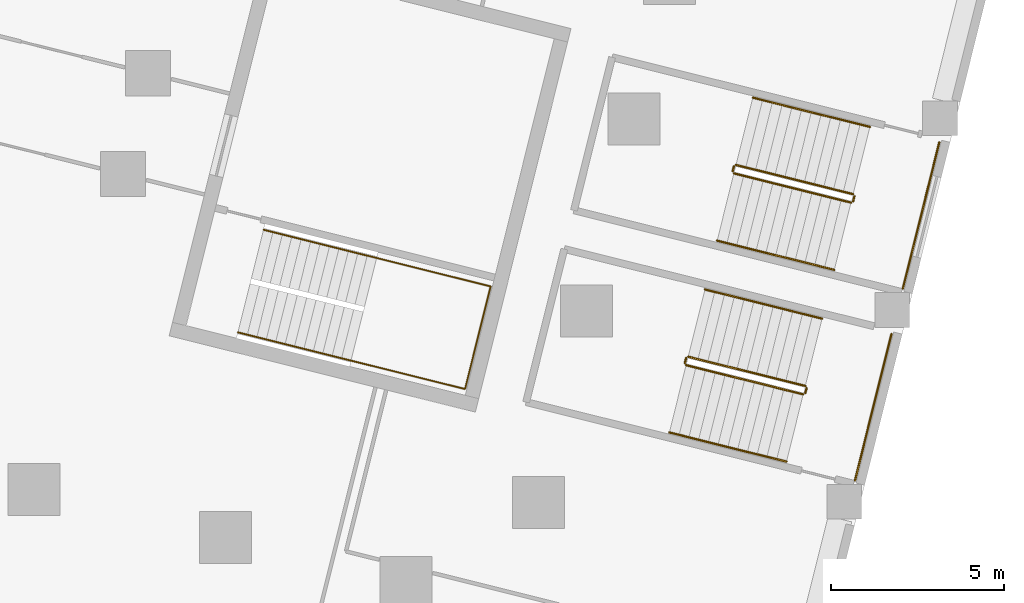
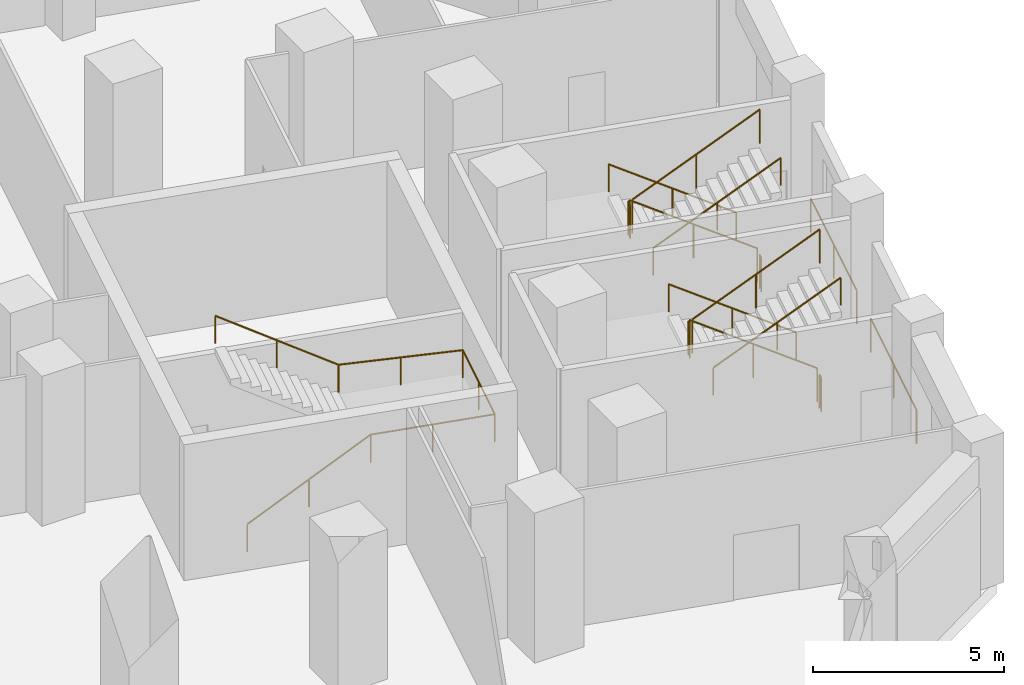
# One storey, part 13 of 15: 15 railings.
"""IFC4 building model written with IfcOpenShell, lengths in metres."""

from ifc_helpers import new_model, si_unit, direction, frame, origin, origin_2d, place, context, subcontext, project, spatial, circle, extrude, material, type_object, element, save


model = new_model("IFC4")

# Units and contexts
model_context = context("Model", 3, precision=1e-05, world=origin(), true_north=direction((0.0, 1.0)))
body_context = subcontext(model_context, "Body", "Model", "MODEL_VIEW")
ifc_project = project(units=[si_unit("LENGTHUNIT", "METRE"), si_unit("AREAUNIT", "SQUARE_METRE"), si_unit("VOLUMEUNIT", "CUBIC_METRE"), si_unit("PLANEANGLEUNIT", "RADIAN"), si_unit("MASSUNIT", "GRAM", prefix="KILO")], contexts=[model_context])

# Site, building, storey
site_placement = place(None, origin())
site = spatial("IfcSite", under=ifc_project, at=site_placement, CompositionType="ELEMENT")
building_placement = place(site_placement, origin())
building = spatial("IfcBuilding", under=site, at=building_placement, Name="Meshkara Civic Tower", CompositionType="ELEMENT")
storey_placement = place(building_placement, frame((0.0, 0.0, 23.39990234375)))
storey = spatial("IfcBuildingStorey", under=building, at=storey_placement, Name="L04", CompositionType="ELEMENT", Elevation=23.39990234375)

# Railings
ifc_material_1 = material(Name="Steel guard", Category="steel")
railing_type_1 = type_object("IfcRailingType", Name="Podium stair guard 1100", PredefinedType="GUARDRAIL", material=ifc_material_1)
railing_1_placement = place(storey_placement, frame((94.407470703125, -14.5361328125, 0.184814453125)))
element("IfcRailing", 1, at=railing_1_placement, inside=storey, type_object=railing_type_1, Name="L04 PS3 stair guard 1", PredefinedType="GUARDRAIL", context=body_context, shape_type="SweptSolid", body=[
    extrude(circle(Radius=0.02392578125, at=origin_2d()), frame((0.0, 0.0, 1.076171875), z_axis=(-0.818517527981, 0.204111557661, 0.53699862981), x_axis=(-0.241957851075, -0.970286760862, 0.0)), (0.0, 0.0, 1.0), 4.12548828125),
    extrude(circle(Radius=0.02099609375, at=origin_2d()), origin(), (0.0, 0.0, 1.0), 1.052001953125),
    extrude(circle(Radius=0.02099609375, at=origin_2d()), frame((-1.6884765625, 0.4208984375, 1.107666015625)), (0.0, 0.0, 1.0), 1.052001953125),
    extrude(circle(Radius=0.02099609375, at=origin_2d()), frame((-3.376708984375, 0.842041015625, 2.21533203125)), (0.0, 0.0, 1.0), 1.052001953125),
])
railing_2_placement = place(storey_placement, frame((90.97021484375, -13.730712890625, 2.400146484375)))
element("IfcRailing", 2, at=railing_2_placement, inside=storey, type_object=railing_type_1, Name="L04 PS3 stair guard 2", PredefinedType="GUARDRAIL", context=body_context, shape_type="SweptSolid", body=[
    extrude(circle(Radius=0.02392578125, at=origin_2d()), frame((0.0, 0.0, 1.076171875), z_axis=(-0.242535625036, -0.970142500145, 0.0), x_axis=(0.970142500145, -0.242535625036, 0.0)), (0.0, 0.0, 1.0), 0.14990234375),
    extrude(circle(Radius=0.02099609375, at=origin_2d()), origin(), (0.0, 0.0, 1.0), 1.052001953125),
    extrude(circle(Radius=0.02099609375, at=origin_2d()), frame((-0.036376953125, -0.1455078125, 0.0)), (0.0, 0.0, 1.0), 1.052001953125),
])
railing_3_placement = place(storey_placement, frame((90.97021484375, -13.936767578125, 2.584716796875)))
element("IfcRailing", 3, at=railing_3_placement, inside=storey, type_object=railing_type_1, Name="L04 PS3 stair guard 3", PredefinedType="GUARDRAIL", context=body_context, shape_type="SweptSolid", body=[
    extrude(circle(Radius=0.02392578125, at=origin_2d()), frame((0.0, 0.0, 1.076171875), z_axis=(0.818527413851, -0.204054842235, 0.537005115558), x_axis=(0.24189180336, 0.970303228618, 0.0)), (0.0, 0.0, 1.0), 4.125244140625),
    extrude(circle(Radius=0.02099609375, at=origin_2d()), origin(), (0.0, 0.0, 1.0), 1.052001953125),
    extrude(circle(Radius=0.02099609375, at=origin_2d()), frame((1.6884765625, -0.4208984375, 1.107666015625)), (0.0, 0.0, 1.0), 1.052001953125),
    extrude(circle(Radius=0.02099609375, at=origin_2d()), frame((3.376708984375, -0.841796875, 2.21533203125)), (0.0, 0.0, 1.0), 1.052001953125),
])
railing_4_placement = place(storey_placement, frame((94.44384765625, -14.5966796875, 0.0)))
element("IfcRailing", 4, at=railing_4_placement, inside=storey, type_object=railing_type_1, Name="L04 PS3 stair guard 4", PredefinedType="GUARDRAIL", context=body_context, shape_type="SweptSolid", body=[
    extrude(circle(Radius=0.02392578125, at=origin_2d()), frame((0.0, 0.0, 1.076171875), z_axis=(-0.242535625036, -0.970142500145, 0.0), x_axis=(0.970142500145, -0.242535625036, 0.0)), (0.0, 0.0, 1.0), 0.14990234375),
    extrude(circle(Radius=0.02099609375, at=origin_2d()), origin(), (0.0, 0.0, 1.0), 1.052001953125),
    extrude(circle(Radius=0.02099609375, at=origin_2d()), frame((-0.036376953125, -0.1455078125, 0.0)), (0.0, 0.0, 1.0), 1.052001953125),
])
railing_5_placement = place(storey_placement, frame((96.892578125, -13.04296875, 0.0)))
element("IfcRailing", 5, at=railing_5_placement, inside=storey, type_object=railing_type_1, Name="L04 PS3 stair guard 5", PredefinedType="GUARDRAIL", context=body_context, shape_type="SweptSolid", body=[
    extrude(circle(Radius=0.02392578125, at=origin_2d()), frame((0.0, 0.0, 1.076171875), z_axis=(-0.241954523554, -0.970287590631, 0.0), x_axis=(0.970287590631, -0.241954523554, 0.0)), (0.0, 0.0, 1.0), 4.349853515625),
    extrude(circle(Radius=0.02099609375, at=origin_2d()), origin(), (0.0, 0.0, 1.0), 1.052001953125),
    extrude(circle(Radius=0.02099609375, at=origin_2d()), frame((-0.5263671875, -2.1103515625, 0.0)), (0.0, 0.0, 1.0), 1.052001953125),
    extrude(circle(Radius=0.02099609375, at=origin_2d()), frame((-1.052490234375, -4.220703125, 0.0)), (0.0, 0.0, 1.0), 1.052001953125),
])
railing_6_placement = place(storey_placement, frame((95.786376953125, -9.005126953125, 0.184814453125)))
element("IfcRailing", 6, at=railing_6_placement, inside=storey, type_object=railing_type_1, Name="L04 PS4 stair guard 1", PredefinedType="GUARDRAIL", context=body_context, shape_type="SweptSolid", body=[
    extrude(circle(Radius=0.02392578125, at=origin_2d()), frame((0.0, 0.0, 1.076171875), z_axis=(-0.818497995467, 0.204121445146, 0.537024642868), x_axis=(-0.241974321886, -0.97028265343, 0.0)), (0.0, 0.0, 1.0), 4.125244140625),
    extrude(circle(Radius=0.02099609375, at=origin_2d()), origin(), (0.0, 0.0, 1.0), 1.052001953125),
    extrude(circle(Radius=0.02099609375, at=origin_2d()), frame((-1.688232421875, 0.4208984375, 1.107666015625)), (0.0, 0.0, 1.0), 1.052001953125),
    extrude(circle(Radius=0.02099609375, at=origin_2d()), frame((-3.37646484375, 0.842041015625, 2.21533203125)), (0.0, 0.0, 1.0), 1.052001953125),
])
railing_7_placement = place(storey_placement, frame((92.34912109375, -8.19970703125, 2.400146484375)))
element("IfcRailing", 7, at=railing_7_placement, inside=storey, type_object=railing_type_1, Name="L04 PS4 stair guard 2", PredefinedType="GUARDRAIL", context=body_context, shape_type="SweptSolid", body=[
    extrude(circle(Radius=0.02392578125, at=origin_2d()), frame((0.0, 0.0, 1.076171875), z_axis=(-0.241002713716, -0.970524441723, 0.0), x_axis=(0.970524441723, -0.241002713716, 0.0)), (0.0, 0.0, 1.0), 0.14990234375),
    extrude(circle(Radius=0.02099609375, at=origin_2d()), origin(), (0.0, 0.0, 1.0), 1.052001953125),
    extrude(circle(Radius=0.02099609375, at=origin_2d()), frame((-0.0361328125, -0.1455078125, 0.0)), (0.0, 0.0, 1.0), 1.052001953125),
])
railing_8_placement = place(storey_placement, frame((92.349365234375, -8.40576171875, 2.584716796875)))
element("IfcRailing", 8, at=railing_8_placement, inside=storey, type_object=railing_type_1, Name="L04 PS4 stair guard 3", PredefinedType="GUARDRAIL", context=body_context, shape_type="SweptSolid", body=[
    extrude(circle(Radius=0.02392578125, at=origin_2d()), frame((0.0, 0.0, 1.076171875), z_axis=(0.818527413851, -0.204054842235, 0.537005115558), x_axis=(0.24189180336, 0.970303228618, 0.0)), (0.0, 0.0, 1.0), 4.125244140625),
    extrude(circle(Radius=0.02099609375, at=origin_2d()), origin(), (0.0, 0.0, 1.0), 1.052001953125),
    extrude(circle(Radius=0.02099609375, at=origin_2d()), frame((1.6884765625, -0.4208984375, 1.107666015625)), (0.0, 0.0, 1.0), 1.052001953125),
    extrude(circle(Radius=0.02099609375, at=origin_2d()), frame((3.376708984375, -0.841796875, 2.21533203125)), (0.0, 0.0, 1.0), 1.052001953125),
])
railing_9_placement = place(storey_placement, frame((95.82275390625, -9.065673828125, 0.0)))
element("IfcRailing", 9, at=railing_9_placement, inside=storey, type_object=railing_type_1, Name="L04 PS4 stair guard 4", PredefinedType="GUARDRAIL", context=body_context, shape_type="SweptSolid", body=[
    extrude(circle(Radius=0.02392578125, at=origin_2d()), frame((0.0, 0.0, 1.076171875), z_axis=(-0.241002713716, -0.970524441723, 0.0), x_axis=(0.970524441723, -0.241002713716, 0.0)), (0.0, 0.0, 1.0), 0.14990234375),
    extrude(circle(Radius=0.02099609375, at=origin_2d()), origin(), (0.0, 0.0, 1.0), 1.052001953125),
    extrude(circle(Radius=0.02099609375, at=origin_2d()), frame((-0.0361328125, -0.1455078125, 0.0)), (0.0, 0.0, 1.0), 1.052001953125),
])
railing_10_placement = place(storey_placement, frame((98.271484375, -7.511962890625, 0.0)))
element("IfcRailing", 10, at=railing_10_placement, inside=storey, type_object=railing_type_1, Name="L04 PS4 stair guard 5", PredefinedType="GUARDRAIL", context=body_context, shape_type="SweptSolid", body=[
    extrude(circle(Radius=0.02392578125, at=origin_2d()), frame((0.0, 0.0, 1.076171875), z_axis=(-0.241901683224, -0.970300765564, 0.0), x_axis=(0.970300765564, -0.241901683224, 0.0)), (0.0, 0.0, 1.0), 4.349853515625),
    extrude(circle(Radius=0.02099609375, at=origin_2d()), origin(), (0.0, 0.0, 1.0), 1.052001953125),
    extrude(circle(Radius=0.02099609375, at=origin_2d()), frame((-0.526123046875, -2.1103515625, 0.0)), (0.0, 0.0, 1.0), 1.052001953125),
    extrude(circle(Radius=0.02099609375, at=origin_2d()), frame((-1.05224609375, -4.220703125, 0.0)), (0.0, 0.0, 1.0), 1.052001953125),
])
ifc_material_2 = material(Name="Steel handrail", Category="steel")
railing_type_2 = type_object("IfcRailingType", Name="Podium stair handrail 900", PredefinedType="HANDRAIL", material=ifc_material_2)
railing_11_placement = place(storey_placement, frame((94.891357421875, -12.595458984375, 0.184814453125)))
element("IfcRailing", 11, at=railing_11_placement, inside=storey, type_object=railing_type_2, Name="L04 PS3 stair handrail 1", PredefinedType="HANDRAIL", context=body_context, shape_type="SweptSolid", body=[
    extrude(circle(Radius=0.02392578125, at=origin_2d()), frame((0.0, 0.0, 0.8759765625), z_axis=(-0.818527413851, 0.204054842235, 0.537005115558), x_axis=(-0.24189180336, -0.970303228618, 0.0)), (0.0, 0.0, 1.0), 4.125244140625),
    extrude(circle(Radius=0.02099609375, at=origin_2d()), origin(), (0.0, 0.0, 1.0), 0.851806640625),
    extrude(circle(Radius=0.02099609375, at=origin_2d()), frame((-1.6884765625, 0.4208984375, 1.107666015625)), (0.0, 0.0, 1.0), 0.851806640625),
    extrude(circle(Radius=0.02099609375, at=origin_2d()), frame((-3.376708984375, 0.841796875, 2.21533203125)), (0.0, 0.0, 1.0), 0.851806640625),
])
railing_12_placement = place(storey_placement, frame((90.486572265625, -15.87744140625, 2.584716796875)))
element("IfcRailing", 12, at=railing_12_placement, inside=storey, type_object=railing_type_2, Name="L04 PS3 stair handrail 2", PredefinedType="HANDRAIL", context=body_context, shape_type="SweptSolid", body=[
    extrude(circle(Radius=0.02392578125, at=origin_2d()), frame((0.0, 0.0, 0.8759765625), z_axis=(0.818507882059, -0.204064727212, 0.537031129559), x_axis=(0.241908270235, 0.970299123359, 0.0)), (0.0, 0.0, 1.0), 4.125244140625),
    extrude(circle(Radius=0.02099609375, at=origin_2d()), origin(), (0.0, 0.0, 1.0), 0.851806640625),
    extrude(circle(Radius=0.02099609375, at=origin_2d()), frame((1.688232421875, -0.4208984375, 1.107666015625)), (0.0, 0.0, 1.0), 0.851806640625),
    extrude(circle(Radius=0.02099609375, at=origin_2d()), frame((3.37646484375, -0.841796875, 2.21533203125)), (0.0, 0.0, 1.0), 0.851806640625),
])
railing_13_placement = place(storey_placement, frame((96.270263671875, -7.064453125, 0.184814453125)))
element("IfcRailing", 13, at=railing_13_placement, inside=storey, type_object=railing_type_2, Name="L04 PS4 stair handrail 1", PredefinedType="HANDRAIL", context=body_context, shape_type="SweptSolid", body=[
    extrude(circle(Radius=0.02392578125, at=origin_2d()), frame((0.0, 0.0, 0.8759765625), z_axis=(-0.818527413851, 0.204054842235, 0.537005115558), x_axis=(-0.24189180336, -0.970303228618, 0.0)), (0.0, 0.0, 1.0), 4.125244140625),
    extrude(circle(Radius=0.02099609375, at=origin_2d()), origin(), (0.0, 0.0, 1.0), 0.851806640625),
    extrude(circle(Radius=0.02099609375, at=origin_2d()), frame((-1.6884765625, 0.4208984375, 1.107666015625)), (0.0, 0.0, 1.0), 0.851806640625),
    extrude(circle(Radius=0.02099609375, at=origin_2d()), frame((-3.376708984375, 0.841796875, 2.21533203125)), (0.0, 0.0, 1.0), 0.851806640625),
])
railing_14_placement = place(storey_placement, frame((91.865478515625, -10.346435546875, 2.584716796875)))
element("IfcRailing", 14, at=railing_14_placement, inside=storey, type_object=railing_type_2, Name="L04 PS4 stair handrail 2", PredefinedType="HANDRAIL", context=body_context, shape_type="SweptSolid", body=[
    extrude(circle(Radius=0.02392578125, at=origin_2d()), frame((0.0, 0.0, 0.8759765625), z_axis=(0.818527413851, -0.204054842235, 0.537005115558), x_axis=(0.24189180336, 0.970303228618, 0.0)), (0.0, 0.0, 1.0), 4.125244140625),
    extrude(circle(Radius=0.02099609375, at=origin_2d()), origin(), (0.0, 0.0, 1.0), 0.851806640625),
    extrude(circle(Radius=0.02099609375, at=origin_2d()), frame((1.6884765625, -0.4208984375, 1.107666015625)), (0.0, 0.0, 1.0), 0.851806640625),
    extrude(circle(Radius=0.02099609375, at=origin_2d()), frame((3.376708984375, -0.841796875, 2.21533203125)), (0.0, 0.0, 1.0), 0.851806640625),
])
ifc_material_3 = material(Name="Steel handrail", Category="steel")
railing_type_3 = type_object("IfcRailingType", Name="Stair handrail 900", PredefinedType="HANDRAIL", material=ifc_material_3)
railing_15_placement = place(storey_placement, frame((78.045166015625, -12.99169921875, 0.184814453125)))
element("IfcRailing", 15, at=railing_15_placement, inside=storey, type_object=railing_type_3, Name="L04 ESB1 stair handrail 1", PredefinedType="HANDRAIL", context=body_context, shape_type="SweptSolid", body=[
    extrude(circle(Radius=0.02392578125, at=origin_2d()), frame((0.0, 0.0, 0.8759765625), z_axis=(0.810049206511, -0.202118013786, 0.550425827459), x_axis=(0.242091113389, 0.970253519869, 0.0)), (0.0, 0.0, 1.0), 4.024658203125),
    extrude(circle(Radius=0.02392578125, at=origin_2d()), frame((3.26025390625, -0.8134765625, 3.09130859375), z_axis=(0.970261006213, -0.242061107622, 0.0), x_axis=(0.242061107622, 0.970261006213, 0.0)), (0.0, 0.0, 1.0), 3.389892578125),
    extrude(circle(Radius=0.02392578125, at=origin_2d()), frame((6.54931640625, -1.634033203125, 3.09130859375), z_axis=(0.242064726708, 0.970260103315, 0.0), x_axis=(-0.970260103315, 0.242064726708, 0.0)), (0.0, 0.0, 1.0), 3.050048828125),
    extrude(circle(Radius=0.02392578125, at=origin_2d()), frame((7.28759765625, 1.3251953125, 3.09130859375), z_axis=(-0.968809167537, 0.241770815117, 0.054366072644), x_axis=(-0.242128906468, -0.970244089213, 0.0)), (0.0, 0.0, 1.0), 3.39501953125),
    extrude(circle(Radius=0.02392578125, at=origin_2d()), frame((3.99853515625, 2.14599609375, 3.27587890625), z_axis=(-0.81005913674, 0.202059831098, 0.550432575017), x_axis=(-0.242022713442, -0.970270584001, 0.0)), (0.0, 0.0, 1.0), 4.024658203125),
    extrude(circle(Radius=0.02099609375, at=origin_2d()), origin(), (0.0, 0.0, 1.0), 0.851806640625),
    extrude(circle(Radius=0.02099609375, at=origin_2d()), frame((1.630126953125, -0.40673828125, 1.107666015625)), (0.0, 0.0, 1.0), 0.851806640625),
    extrude(circle(Radius=0.02099609375, at=origin_2d()), frame((3.26025390625, -0.8134765625, 2.21533203125)), (0.0, 0.0, 1.0), 0.851806640625),
    extrude(circle(Radius=0.02099609375, at=origin_2d()), frame((4.90478515625, -1.2236328125, 2.21533203125)), (0.0, 0.0, 1.0), 0.851806640625),
    extrude(circle(Radius=0.02099609375, at=origin_2d()), frame((6.54931640625, -1.634033203125, 2.21533203125)), (0.0, 0.0, 1.0), 0.851806640625),
    extrude(circle(Radius=0.02099609375, at=origin_2d()), frame((6.91845703125, -0.154296875, 2.21533203125)), (0.0, 0.0, 1.0), 0.851806640625),
    extrude(circle(Radius=0.02099609375, at=origin_2d()), frame((7.28759765625, 1.3251953125, 2.21533203125)), (0.0, 0.0, 1.0), 0.851806640625),
    extrude(circle(Radius=0.02099609375, at=origin_2d()), frame((5.64306640625, 1.735595703125, 2.3076171875)), (0.0, 0.0, 1.0), 0.851806640625),
    extrude(circle(Radius=0.02099609375, at=origin_2d()), frame((3.99853515625, 2.14599609375, 2.39990234375)), (0.0, 0.0, 1.0), 0.851806640625),
    extrude(circle(Radius=0.02099609375, at=origin_2d()), frame((2.368408203125, 2.552734375, 3.507568359375)), (0.0, 0.0, 1.0), 0.851806640625),
    extrude(circle(Radius=0.02099609375, at=origin_2d()), frame((0.73828125, 2.959228515625, 4.615234375)), (0.0, 0.0, 1.0), 0.851806640625),
])

save(model, "model.ifc")
